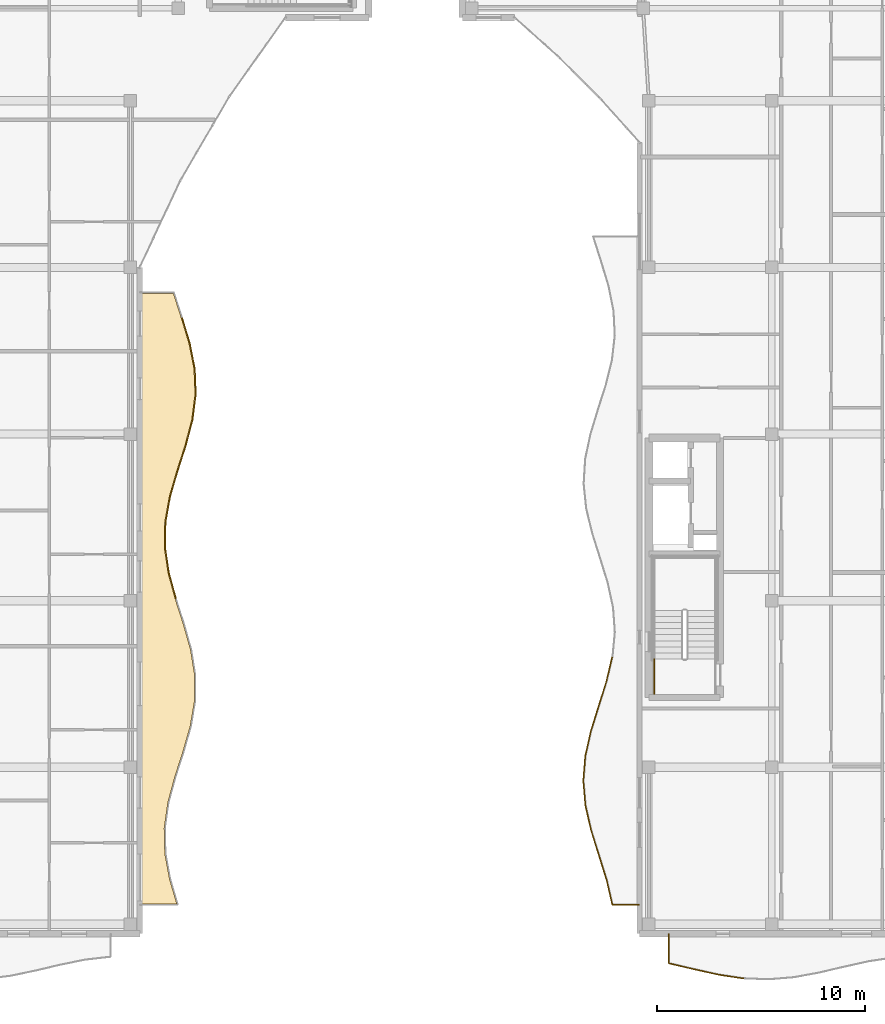
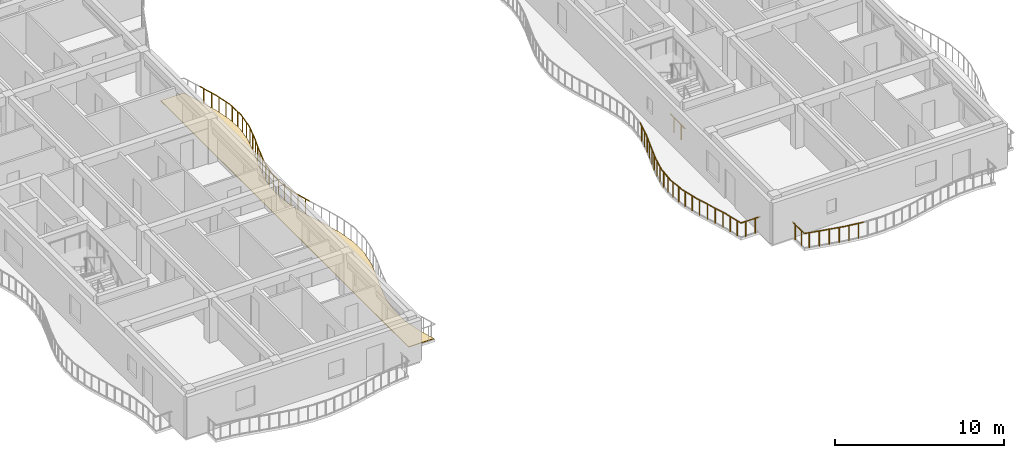
# One storey, part 51 of 76: 27 railings, 1 covering.
"""IFC4 building model written with IfcOpenShell, lengths in metres."""

from ifc_helpers import new_model, si_unit, direction, frame, origin, origin_2d, place, context, subcontext, project, spatial, polyline, circle, outline, extrude, material, layer, layer_set, type_object, element, save


model = new_model("IFC4")

# Units and contexts
model_context = context("Model", 3, precision=1e-05, world=origin(), true_north=direction((0.0, 1.0)))
body_context = subcontext(model_context, "Body", "Model", "MODEL_VIEW")
ifc_project = project(units=[si_unit("LENGTHUNIT", "METRE"), si_unit("AREAUNIT", "SQUARE_METRE"), si_unit("VOLUMEUNIT", "CUBIC_METRE"), si_unit("PLANEANGLEUNIT", "RADIAN"), si_unit("MASSUNIT", "GRAM", prefix="KILO")], contexts=[model_context])

# Site, building, storey
site_placement = place(None, origin())
site = spatial("IfcSite", under=ifc_project, at=site_placement, CompositionType="ELEMENT")
building_placement = place(site_placement, origin())
building = spatial("IfcBuilding", under=site, at=building_placement, Name="Keldmere Railside Commons", CompositionType="ELEMENT")
storey_placement = place(building_placement, frame((0.0, 0.0, 13.760009765625)))
storey = spatial("IfcBuildingStorey", under=building, at=storey_placement, Name="L04", CompositionType="ELEMENT", Elevation=13.760009765625)

# Railings
ifc_material_1 = material(Name="Steel F-24 (S235)", Category="steel")
railing_type_1 = type_object("IfcRailingType", Name="Balcony & Terrace Steel Balustrade 1100", PredefinedType="BALUSTRADE", material=ifc_material_1)
railing_1_placement = place(storey_placement, frame((25.736083984375, 72.10009765625, 0.0)))
element("IfcRailing", 1, at=railing_1_placement, inside=storey, type_object=railing_type_1, Name="GR-1 GRD-L04-0414", PredefinedType="BALUSTRADE", context=body_context, shape_type="SweptSolid", body=[
    extrude(circle(Radius=0.02392578125, at=origin_2d()), frame((0.0, 0.0, 1.076171875), z_axis=(-0.264857163552, 0.96428765569, 0.0), x_axis=(-0.96428765569, -0.264857163552, 0.0)), (0.0, 0.0, 1.0), 1.270263671875),
    extrude(circle(Radius=0.02099609375, at=origin_2d()), frame((-0.083984375, 0.30615234375, 0.0)), (0.0, 0.0, 1.0), 1.048095703125),
    extrude(circle(Radius=0.02099609375, at=origin_2d()), frame((-0.25244140625, 0.918701171875, 0.0)), (0.0, 0.0, 1.0), 1.048095703125),
])
railing_2_placement = place(storey_placement, frame((25.399658203125, 73.324951171875, 0.0)))
element("IfcRailing", 2, at=railing_2_placement, inside=storey, type_object=railing_type_1, Name="GR-1 GRD-L04-0415", PredefinedType="BALUSTRADE", context=body_context, shape_type="SweptSolid", body=[
    extrude(circle(Radius=0.02392578125, at=origin_2d()), frame((0.0, 0.0, 1.076171875), z_axis=(-0.147627195263, 0.989043078545, 0.0), x_axis=(-0.989043078545, -0.147627195263, 0.0)), (0.0, 0.0, 1.0), 1.23876953125),
    extrude(circle(Radius=0.02099609375, at=origin_2d()), frame((-0.045654296875, 0.30615234375, 0.0)), (0.0, 0.0, 1.0), 1.048095703125),
    extrude(circle(Radius=0.02099609375, at=origin_2d()), frame((-0.13720703125, 0.9189453125, 0.0)), (0.0, 0.0, 1.0), 1.048095703125),
])
railing_3_placement = place(storey_placement, frame((25.216796875, 74.550048828125, 0.0)))
element("IfcRailing", 3, at=railing_3_placement, inside=storey, type_object=railing_type_1, Name="GR-1 GRD-L04-0416", PredefinedType="BALUSTRADE", context=body_context, shape_type="SweptSolid", body=[
    extrude(circle(Radius=0.02392578125, at=origin_2d()), frame((0.0, 0.0, 1.076171875), z_axis=(0.017736894422, 0.999842688915, 0.0), x_axis=(-0.999842688915, 0.017736894422, 0.0)), (0.0, 0.0, 1.0), 1.22509765625),
    extrude(circle(Radius=0.02099609375, at=origin_2d()), frame((0.00537109375, 0.30615234375, 0.0)), (0.0, 0.0, 1.0), 1.048095703125),
    extrude(circle(Radius=0.02099609375, at=origin_2d()), frame((0.016357421875, 0.918701171875, 0.0)), (0.0, 0.0, 1.0), 1.048095703125),
])
railing_4_placement = place(storey_placement, frame((25.238525390625, 75.77490234375, 0.0)))
element("IfcRailing", 4, at=railing_4_placement, inside=storey, type_object=railing_type_1, Name="GR-1 GRD-L04-0417", PredefinedType="BALUSTRADE", context=body_context, shape_type="SweptSolid", body=[
    extrude(circle(Radius=0.02392578125, at=origin_2d()), frame((0.0, 0.0, 1.076171875), z_axis=(0.176917413611, 0.984225700112, 0.0), x_axis=(-0.984225700112, 0.176917413611, 0.0)), (0.0, 0.0, 1.0), 1.24462890625),
    extrude(circle(Radius=0.02099609375, at=origin_2d()), frame((0.05517578125, 0.30615234375, 0.0)), (0.0, 0.0, 1.0), 1.048095703125),
    extrude(circle(Radius=0.02099609375, at=origin_2d()), frame((0.1650390625, 0.9189453125, 0.0)), (0.0, 0.0, 1.0), 1.048095703125),
])
railing_5_placement = place(storey_placement, frame((25.458740234375, 77.0, 0.0)))
element("IfcRailing", 5, at=railing_5_placement, inside=storey, type_object=railing_type_1, Name="GR-1 GRD-L04-0418", PredefinedType="BALUSTRADE", context=body_context, shape_type="SweptSolid", body=[
    extrude(circle(Radius=0.02392578125, at=origin_2d()), frame((0.0, 0.0, 1.076171875), z_axis=(0.279897146236, 0.960029993036, 0.0), x_axis=(-0.960029993036, 0.279897146236, 0.0)), (0.0, 0.0, 1.0), 1.276123046875),
    extrude(circle(Radius=0.02099609375, at=origin_2d()), frame((0.08935546875, 0.30615234375, 0.0)), (0.0, 0.0, 1.0), 1.048095703125),
    extrude(circle(Radius=0.02099609375, at=origin_2d()), frame((0.267822265625, 0.9189453125, 0.0)), (0.0, 0.0, 1.0), 1.048095703125),
])
railing_6_placement = place(storey_placement, frame((25.81591796875, 78.22509765625, 0.0)))
element("IfcRailing", 6, at=railing_6_placement, inside=storey, type_object=railing_type_1, Name="GR-1 GRD-L04-0419", PredefinedType="BALUSTRADE", context=body_context, shape_type="SweptSolid", body=[
    extrude(circle(Radius=0.02392578125, at=origin_2d()), frame((0.0, 0.0, 1.076171875), z_axis=(0.306592548938, 0.951840852735, 0.0), x_axis=(-0.951840852735, 0.306592548938, 0.0)), (0.0, 0.0, 1.0), 1.286865234375),
    extrude(circle(Radius=0.02099609375, at=origin_2d()), frame((0.0986328125, 0.30615234375, 0.0)), (0.0, 0.0, 1.0), 1.048095703125),
    extrude(circle(Radius=0.02099609375, at=origin_2d()), frame((0.2958984375, 0.918701171875, 0.0)), (0.0, 0.0, 1.0), 1.048095703125),
])
railing_7_placement = place(storey_placement, frame((26.21044921875, 79.449951171875, 0.0)))
element("IfcRailing", 7, at=railing_7_placement, inside=storey, type_object=railing_type_1, Name="GR-1 GRD-L04-0420", PredefinedType="BALUSTRADE", context=body_context, shape_type="SweptSolid", body=[
    extrude(circle(Radius=0.02392578125, at=origin_2d()), frame((0.0, 0.0, 1.076171875), z_axis=(0.254218166499, 0.967146898781, 0.0), x_axis=(-0.967146898781, 0.254218166499, 0.0)), (0.0, 0.0, 1.0), 1.2666015625),
    extrude(circle(Radius=0.02099609375, at=origin_2d()), frame((0.08056640625, 0.30615234375, 0.0)), (0.0, 0.0, 1.0), 1.048095703125),
    extrude(circle(Radius=0.02099609375, at=origin_2d()), frame((0.241455078125, 0.9189453125, 0.0)), (0.0, 0.0, 1.0), 1.048095703125),
])
railing_8_placement = place(storey_placement, frame((26.532470703125, 80.675048828125, 0.0)))
element("IfcRailing", 8, at=railing_8_placement, inside=storey, type_object=railing_type_1, Name="GR-1 GRD-L04-0421", PredefinedType="BALUSTRADE", context=body_context, shape_type="SweptSolid", body=[
    extrude(circle(Radius=0.02392578125, at=origin_2d()), frame((0.0, 0.0, 1.076171875), z_axis=(0.129068781202, 0.991635643631, 0.0), x_axis=(-0.991635643631, 0.129068781202, 0.0)), (0.0, 0.0, 1.0), 1.235107421875),
    extrude(circle(Radius=0.02099609375, at=origin_2d()), frame((0.039794921875, 0.30615234375, 0.0)), (0.0, 0.0, 1.0), 1.048095703125),
    extrude(circle(Radius=0.02099609375, at=origin_2d()), frame((0.11962890625, 0.918701171875, 0.0)), (0.0, 0.0, 1.0), 1.048095703125),
])
railing_9_placement = place(storey_placement, frame((26.69189453125, 81.89990234375, 0.0)))
element("IfcRailing", 9, at=railing_9_placement, inside=storey, type_object=railing_type_1, Name="GR-1 GRD-L04-0422", PredefinedType="BALUSTRADE", context=body_context, shape_type="SweptSolid", body=[
    extrude(circle(Radius=0.02392578125, at=origin_2d()), frame((0.0, 0.0, 1.076171875), z_axis=(-0.038830795347, 0.999245800258, 0.0), x_axis=(-0.999245800258, -0.038830795347, 0.0)), (0.0, 0.0, 1.0), 1.22607421875),
    extrude(circle(Radius=0.02099609375, at=origin_2d()), frame((-0.011962890625, 0.30615234375, 0.0)), (0.0, 0.0, 1.0), 1.048095703125),
    extrude(circle(Radius=0.02099609375, at=origin_2d()), frame((-0.03564453125, 0.9189453125, 0.0)), (0.0, 0.0, 1.0), 1.048095703125),
])
railing_10_placement = place(storey_placement, frame((26.644287109375, 83.125, 0.0)))
element("IfcRailing", 10, at=railing_10_placement, inside=storey, type_object=railing_type_1, Name="GR-1 GRD-L04-0423", PredefinedType="BALUSTRADE", context=body_context, shape_type="SweptSolid", body=[
    extrude(circle(Radius=0.02392578125, at=origin_2d()), frame((0.0, 0.0, 1.076171875), z_axis=(-0.192994085496, 0.981199919977, 0.0), x_axis=(-0.981199919977, -0.192994085496, 0.0)), (0.0, 0.0, 1.0), 1.24853515625),
    extrude(circle(Radius=0.02099609375, at=origin_2d()), frame((-0.060302734375, 0.30615234375, 0.0)), (0.0, 0.0, 1.0), 1.048095703125),
    extrude(circle(Radius=0.02099609375, at=origin_2d()), frame((-0.1806640625, 0.9189453125, 0.0)), (0.0, 0.0, 1.0), 1.048095703125),
])
railing_11_placement = place(storey_placement, frame((26.4033203125, 84.35009765625, 0.0)))
element("IfcRailing", 11, at=railing_11_placement, inside=storey, type_object=railing_type_1, Name="GR-1 GRD-L04-0424", PredefinedType="BALUSTRADE", context=body_context, shape_type="SweptSolid", body=[
    extrude(circle(Radius=0.02392578125, at=origin_2d()), frame((0.0, 0.0, 1.076171875), z_axis=(-0.287680623128, 0.95772640095, 0.0), x_axis=(-0.95772640095, -0.287680623128, 0.0)), (0.0, 0.0, 1.0), 1.27880859375),
    extrude(circle(Radius=0.02099609375, at=origin_2d()), frame((-0.092041015625, 0.30615234375, 0.0)), (0.0, 0.0, 1.0), 1.048095703125),
    extrude(circle(Radius=0.02099609375, at=origin_2d()), frame((-0.27587890625, 0.918701171875, 0.0)), (0.0, 0.0, 1.0), 1.048095703125),
])
railing_12_placement = place(storey_placement, frame((48.0, 57.39990234375, 0.0)))
element("IfcRailing", 12, at=railing_12_placement, inside=storey, type_object=railing_type_1, Name="GR-1 GRD-L04-1238", PredefinedType="BALUSTRADE", context=body_context, shape_type="SweptSolid", body=[
    extrude(circle(Radius=0.02392578125, at=origin_2d()), frame((0.0, 0.0, 1.076171875), z_axis=(-1.0, 0.0, 0.0), x_axis=(0.0, -1.0, 0.0)), (0.0, 0.0, 1.0), 1.305908203125),
    extrude(circle(Radius=0.02099609375, at=origin_2d()), frame((-0.326416015625, 0.0, 0.0)), (0.0, 0.0, 1.0), 1.048095703125),
    extrude(circle(Radius=0.02099609375, at=origin_2d()), frame((-0.9794921875, 0.0, 0.0)), (0.0, 0.0, 1.0), 1.048095703125),
])
railing_13_placement = place(storey_placement, frame((46.694091796875, 57.39990234375, 0.0)))
element("IfcRailing", 13, at=railing_13_placement, inside=storey, type_object=railing_type_1, Name="GR-1 GRD-L04-1239", PredefinedType="BALUSTRADE", context=body_context, shape_type="SweptSolid", body=[
    extrude(circle(Radius=0.02392578125, at=origin_2d()), frame((0.0, 0.0, 1.076171875), z_axis=(-0.225458496032, 0.974252773446, 0.0), x_axis=(-0.974252773446, -0.225458496032, 0.0)), (0.0, 0.0, 1.0), 1.220458984375),
    extrude(circle(Radius=0.02099609375, at=origin_2d()), frame((-0.06884765625, 0.29736328125, 0.0)), (0.0, 0.0, 1.0), 1.048095703125),
    extrude(circle(Radius=0.02099609375, at=origin_2d()), frame((-0.206298828125, 0.8916015625, 0.0)), (0.0, 0.0, 1.0), 1.048095703125),
])
railing_14_placement = place(storey_placement, frame((46.4189453125, 58.5888671875, 0.0)))
element("IfcRailing", 14, at=railing_14_placement, inside=storey, type_object=railing_type_1, Name="GR-1 GRD-L04-1240", PredefinedType="BALUSTRADE", context=body_context, shape_type="SweptSolid", body=[
    extrude(circle(Radius=0.02392578125, at=origin_2d()), frame((0.0, 0.0, 1.076171875), z_axis=(-0.298654351345, 0.954361345834, 0.0), x_axis=(-0.954361345834, -0.298654351345, 0.0)), (0.0, 0.0, 1.0), 1.245849609375),
    extrude(circle(Radius=0.02099609375, at=origin_2d()), frame((-0.093017578125, 0.29736328125, 0.0)), (0.0, 0.0, 1.0), 1.048095703125),
    extrude(circle(Radius=0.02099609375, at=origin_2d()), frame((-0.279052734375, 0.8916015625, 0.0)), (0.0, 0.0, 1.0), 1.048095703125),
])
railing_15_placement = place(storey_placement, frame((46.046875, 59.77783203125, 0.0)))
element("IfcRailing", 15, at=railing_15_placement, inside=storey, type_object=railing_type_1, Name="GR-1 GRD-L04-1241", PredefinedType="BALUSTRADE", context=body_context, shape_type="SweptSolid", body=[
    extrude(circle(Radius=0.02392578125, at=origin_2d()), frame((0.0, 0.0, 1.076171875), z_axis=(-0.29829731224, 0.954473003029, 0.0), x_axis=(-0.954473003029, -0.29829731224, 0.0)), (0.0, 0.0, 1.0), 1.24560546875),
    extrude(circle(Radius=0.02099609375, at=origin_2d()), frame((-0.0927734375, 0.29736328125, 0.0)), (0.0, 0.0, 1.0), 1.048095703125),
    extrude(circle(Radius=0.02099609375, at=origin_2d()), frame((-0.27880859375, 0.8916015625, 0.0)), (0.0, 0.0, 1.0), 1.048095703125),
])
railing_16_placement = place(storey_placement, frame((45.67529296875, 60.966796875, 0.0)))
element("IfcRailing", 16, at=railing_16_placement, inside=storey, type_object=railing_type_1, Name="GR-1 GRD-L04-1242", PredefinedType="BALUSTRADE", context=body_context, shape_type="SweptSolid", body=[
    extrude(circle(Radius=0.02392578125, at=origin_2d()), frame((0.0, 0.0, 1.076171875), z_axis=(-0.223602003855, 0.974680534263, 0.0), x_axis=(-0.974680534263, -0.223602003855, 0.0)), (0.0, 0.0, 1.0), 1.219482421875),
    extrude(circle(Radius=0.02099609375, at=origin_2d()), frame((-0.068115234375, 0.297119140625, 0.0)), (0.0, 0.0, 1.0), 1.048095703125),
    extrude(circle(Radius=0.02099609375, at=origin_2d()), frame((-0.20458984375, 0.8916015625, 0.0)), (0.0, 0.0, 1.0), 1.048095703125),
])
railing_17_placement = place(storey_placement, frame((45.402587890625, 62.155517578125, 0.0)))
element("IfcRailing", 17, at=railing_17_placement, inside=storey, type_object=railing_type_1, Name="GR-1 GRD-L04-1243", PredefinedType="BALUSTRADE", context=body_context, shape_type="SweptSolid", body=[
    extrude(circle(Radius=0.02392578125, at=origin_2d()), frame((0.0, 0.0, 1.076171875), z_axis=(-0.085923354216, 0.996301750074, 0.0), x_axis=(-0.996301750074, -0.085923354216, 0.0)), (0.0, 0.0, 1.0), 1.193359375),
    extrude(circle(Radius=0.02099609375, at=origin_2d()), frame((-0.025634765625, 0.29736328125, 0.0)), (0.0, 0.0, 1.0), 1.048095703125),
    extrude(circle(Radius=0.02099609375, at=origin_2d()), frame((-0.076904296875, 0.8916015625, 0.0)), (0.0, 0.0, 1.0), 1.048095703125),
])
railing_18_placement = place(storey_placement, frame((45.300048828125, 63.344482421875, 0.0)))
element("IfcRailing", 18, at=railing_18_placement, inside=storey, type_object=railing_type_1, Name="GR-1 GRD-L04-1244", PredefinedType="BALUSTRADE", context=body_context, shape_type="SweptSolid", body=[
    extrude(circle(Radius=0.02392578125, at=origin_2d()), frame((0.0, 0.0, 1.076171875), z_axis=(0.079639439947, 0.996823735474, 0.0), x_axis=(-0.996823735474, 0.079639439947, 0.0)), (0.0, 0.0, 1.0), 1.192626953125),
    extrude(circle(Radius=0.02099609375, at=origin_2d()), frame((0.023681640625, 0.297119140625, 0.0)), (0.0, 0.0, 1.0), 1.048095703125),
    extrude(circle(Radius=0.02099609375, at=origin_2d()), frame((0.0712890625, 0.8916015625, 0.0)), (0.0, 0.0, 1.0), 1.048095703125),
])
railing_19_placement = place(storey_placement, frame((45.39501953125, 64.533203125, 0.0)))
element("IfcRailing", 19, at=railing_19_placement, inside=storey, type_object=railing_type_1, Name="GR-1 GRD-L04-1245", PredefinedType="BALUSTRADE", context=body_context, shape_type="SweptSolid", body=[
    extrude(circle(Radius=0.02392578125, at=origin_2d()), frame((0.0, 0.0, 1.076171875), z_axis=(0.219178470999, 0.975684784062, 0.0), x_axis=(-0.975684784062, 0.219178470999, 0.0)), (0.0, 0.0, 1.0), 1.218505859375),
    extrude(circle(Radius=0.02099609375, at=origin_2d()), frame((0.06689453125, 0.29736328125, 0.0)), (0.0, 0.0, 1.0), 1.048095703125),
    extrude(circle(Radius=0.02099609375, at=origin_2d()), frame((0.2001953125, 0.8916015625, 0.0)), (0.0, 0.0, 1.0), 1.048095703125),
])
railing_20_placement = place(storey_placement, frame((45.662109375, 65.72216796875, 0.0)))
element("IfcRailing", 20, at=railing_20_placement, inside=storey, type_object=railing_type_1, Name="GR-1 GRD-L04-1246", PredefinedType="BALUSTRADE", context=body_context, shape_type="SweptSolid", body=[
    extrude(circle(Radius=0.02392578125, at=origin_2d()), frame((0.0, 0.0, 1.076171875), z_axis=(0.296689087445, 0.954974128127, 0.0), x_axis=(-0.954974128127, 0.296689087445, 0.0)), (0.0, 0.0, 1.0), 1.2451171875),
    extrude(circle(Radius=0.02099609375, at=origin_2d()), frame((0.09228515625, 0.29736328125, 0.0)), (0.0, 0.0, 1.0), 1.048095703125),
    extrude(circle(Radius=0.02099609375, at=origin_2d()), frame((0.277099609375, 0.8916015625, 0.0)), (0.0, 0.0, 1.0), 1.048095703125),
])
railing_21_placement = place(storey_placement, frame((46.031494140625, 66.9111328125, 0.0)))
element("IfcRailing", 21, at=railing_21_placement, inside=storey, type_object=railing_type_1, Name="GR-1 GRD-L04-1247", PredefinedType="BALUSTRADE", context=body_context, shape_type="SweptSolid", body=[
    extrude(circle(Radius=0.02392578125, at=origin_2d()), frame((0.0, 0.0, 1.076171875), z_axis=(0.300081253301, 0.953913644633, 0.0), x_axis=(-0.953913644633, 0.300081253301, 0.0)), (0.0, 0.0, 1.0), 1.246337890625),
    extrude(circle(Radius=0.02099609375, at=origin_2d()), frame((0.093505859375, 0.29736328125, 0.0)), (0.0, 0.0, 1.0), 1.048095703125),
    extrude(circle(Radius=0.02099609375, at=origin_2d()), frame((0.280517578125, 0.8916015625, 0.0)), (0.0, 0.0, 1.0), 1.048095703125),
])
railing_22_placement = place(storey_placement, frame((46.405517578125, 68.10009765625, 0.0)))
element("IfcRailing", 22, at=railing_22_placement, inside=storey, type_object=railing_type_1, Name="GR-1 GRD-L04-1248", PredefinedType="BALUSTRADE", context=body_context, shape_type="SweptSolid", body=[
    extrude(circle(Radius=0.02392578125, at=origin_2d()), frame((0.0, 0.0, 1.076171875), z_axis=(0.229863680689, 0.973222835891, 0.0), x_axis=(-0.973222835891, 0.229863680689, 0.0)), (0.0, 0.0, 1.0), 1.221435546875),
    extrude(circle(Radius=0.02099609375, at=origin_2d()), frame((0.0703125, 0.297119140625, 0.0)), (0.0, 0.0, 1.0), 1.048095703125),
    extrude(circle(Radius=0.02099609375, at=origin_2d()), frame((0.21044921875, 0.8916015625, 0.0)), (0.0, 0.0, 1.0), 1.048095703125),
])
railing_23_placement = place(storey_placement, frame((49.39990234375, 56.0, 0.0)))
element("IfcRailing", 23, at=railing_23_placement, inside=storey, type_object=railing_type_1, Name="GR-1 GRD-L04-1293", PredefinedType="BALUSTRADE", context=body_context, shape_type="SweptSolid", body=[
    extrude(circle(Radius=0.02392578125, at=origin_2d()), frame((0.0, 0.0, 1.076171875), z_axis=(0.0, -1.0, 0.0), x_axis=(1.0, 0.0, 0.0)), (0.0, 0.0, 1.0), 1.419189453125),
    extrude(circle(Radius=0.02099609375, at=origin_2d()), frame((0.0, -0.354736328125, 0.0)), (0.0, 0.0, 1.0), 1.048095703125),
    extrude(circle(Radius=0.02099609375, at=origin_2d()), frame((0.0, -1.064453125, 0.0)), (0.0, 0.0, 1.0), 1.048095703125),
])
railing_24_placement = place(storey_placement, frame((49.39990234375, 54.580810546875, 0.0)))
element("IfcRailing", 24, at=railing_24_placement, inside=storey, type_object=railing_type_1, Name="GR-1 GRD-L04-1294", PredefinedType="BALUSTRADE", context=body_context, shape_type="SweptSolid", body=[
    extrude(circle(Radius=0.02392578125, at=origin_2d()), frame((0.0, 0.0, 1.076171875), z_axis=(0.973756400106, -0.227592779439, 0.0), x_axis=(0.227592779439, 0.973756400106, 0.0)), (0.0, 0.0, 1.0), 1.232421875),
    extrude(circle(Radius=0.02099609375, at=origin_2d()), frame((0.300048828125, -0.070068359375, 0.0)), (0.0, 0.0, 1.0), 1.048095703125),
    extrude(circle(Radius=0.02099609375, at=origin_2d()), frame((0.900146484375, -0.21044921875, 0.0)), (0.0, 0.0, 1.0), 1.048095703125),
])
railing_25_placement = place(storey_placement, frame((50.60009765625, 54.30029296875, 0.0)))
element("IfcRailing", 25, at=railing_25_placement, inside=storey, type_object=railing_type_1, Name="GR-1 GRD-L04-1295", PredefinedType="BALUSTRADE", context=body_context, shape_type="SweptSolid", body=[
    extrude(circle(Radius=0.02392578125, at=origin_2d()), frame((0.0, 0.0, 1.076171875), z_axis=(0.976112235663, -0.217266894367, 0.0), x_axis=(0.217266894367, 0.976112235663, 0.0)), (0.0, 0.0, 1.0), 1.229248046875),
    extrude(circle(Radius=0.02099609375, at=origin_2d()), frame((0.300048828125, -0.06689453125, 0.0)), (0.0, 0.0, 1.0), 1.048095703125),
    extrude(circle(Radius=0.02099609375, at=origin_2d()), frame((0.89990234375, -0.2001953125, 0.0)), (0.0, 0.0, 1.0), 1.048095703125),
])
railing_26_placement = place(storey_placement, frame((51.800048828125, 54.033203125, 0.0)))
element("IfcRailing", 26, at=railing_26_placement, inside=storey, type_object=railing_type_1, Name="GR-1 GRD-L04-1296", PredefinedType="BALUSTRADE", context=body_context, shape_type="SweptSolid", body=[
    extrude(circle(Radius=0.02392578125, at=origin_2d()), frame((0.0, 0.0, 1.076171875), z_axis=(0.988646785993, -0.15025821956, 0.0), x_axis=(0.15025821956, 0.988646785993, 0.0)), (0.0, 0.0, 1.0), 1.213623046875),
    extrude(circle(Radius=0.02099609375, at=origin_2d()), frame((0.300048828125, -0.045654296875, 0.0)), (0.0, 0.0, 1.0), 1.048095703125),
    extrude(circle(Radius=0.02099609375, at=origin_2d()), frame((0.89990234375, -0.13671875, 0.0)), (0.0, 0.0, 1.0), 1.048095703125),
])
railing_type_2 = type_object("IfcRailingType", Name="Stair Well Steel Guardrail 1100", PredefinedType="BALUSTRADE", material=ifc_material_1)
railing_27_placement = place(storey_placement, frame((48.699951171875, 67.5, 0.0)))
element("IfcRailing", 27, at=railing_27_placement, inside=storey, type_object=railing_type_2, Name="L04 ST-C1 stair guard 9", PredefinedType="BALUSTRADE", context=body_context, shape_type="SweptSolid", body=[
    extrude(circle(Radius=0.02392578125, at=origin_2d()), frame((0.0, 0.0, 1.076171875), z_axis=(0.0, 1.0, 0.0), x_axis=(-1.0, 0.0, 0.0)), (0.0, 0.0, 1.0), 1.699951171875),
    extrude(circle(Radius=0.02099609375, at=origin_2d()), frame((0.0, 0.425048828125, 0.0)), (0.0, 0.0, 1.0), 1.048095703125),
    extrude(circle(Radius=0.02099609375, at=origin_2d()), frame((0.0, 1.27490234375, 0.0)), (0.0, 0.0, 1.0), 1.048095703125),
])

# Covering
ifc_material_2 = material(Name="White Precast Concrete C35/45", Category="concrete")
ifc_layer = layer(ifc_material_2, 0.044921875, Name="White Architectural Balcony Ribbon Cladding 45")
ifc_layer_set = layer_set([ifc_layer], Name="White Precast Concrete C35/45")
covering_type = type_object("IfcCoveringType", Name="White Architectural Balcony Ribbon Cladding 45", PredefinedType="FLOORING", material=ifc_layer_set)
covering_placement = place(storey_placement, origin())
element("IfcCovering", 28, at=covering_placement, inside=storey, type_object=covering_type, Name="CLG-WB D L04 CE White Balcony Ribbon", PredefinedType="FLOORING", context=body_context, shape_type="SweptSolid", body=[
    extrude(outline(polyline([(25.4326171875, 58.61376953125), (25.431640625, 58.61767578125), (25.20458984375, 59.8427734375), (25.2041015625, 59.845947265625), (25.203857421875, 59.84912109375), (25.173583984375, 61.073974609375), (25.173828125, 61.077392578125), (25.174072265625, 61.080810546875), (25.349365234375, 62.3056640625), (25.350341796875, 62.310546875), (25.68212890625, 63.535400390625), (25.6826171875, 63.537353515625), (26.078125, 64.76171875), (26.4267578125, 65.98388671875), (26.631103515625, 67.203369140625), (26.635498046875, 68.421875), (26.438232421875, 69.641357421875), (26.09375, 70.86328125), (25.697998046875, 72.087646484375), (25.697509765625, 72.08935546875), (25.361083984375, 73.314453125), (25.360107421875, 73.319091796875), (25.17724609375, 74.544189453125), (25.177001953125, 74.54736328125), (25.177001953125, 74.55078125), (25.198486328125, 75.775634765625), (25.19873046875, 75.77880859375), (25.19921875, 75.781982421875), (25.419189453125, 77.007080078125), (25.42041015625, 77.01123046875), (25.777587890625, 78.236083984375), (25.77783203125, 78.2373046875), (26.172119140625, 79.461181640625), (26.4931640625, 80.6826171875), (26.65185546875, 81.90185546875), (26.6044921875, 83.120361328125), (26.3642578125, 84.34033203125), (25.997314453125, 85.563232421875), (25.61474609375, 86.760009765625), (24.0400390625, 86.760009765625), (24.0400390625, 57.43994140625), (25.7783203125, 57.43994140625), (25.4326171875, 58.61376953125)])), origin(), (0.0, 0.0, 1.0), 0.044921875),
])

save(model, "model.ifc")
